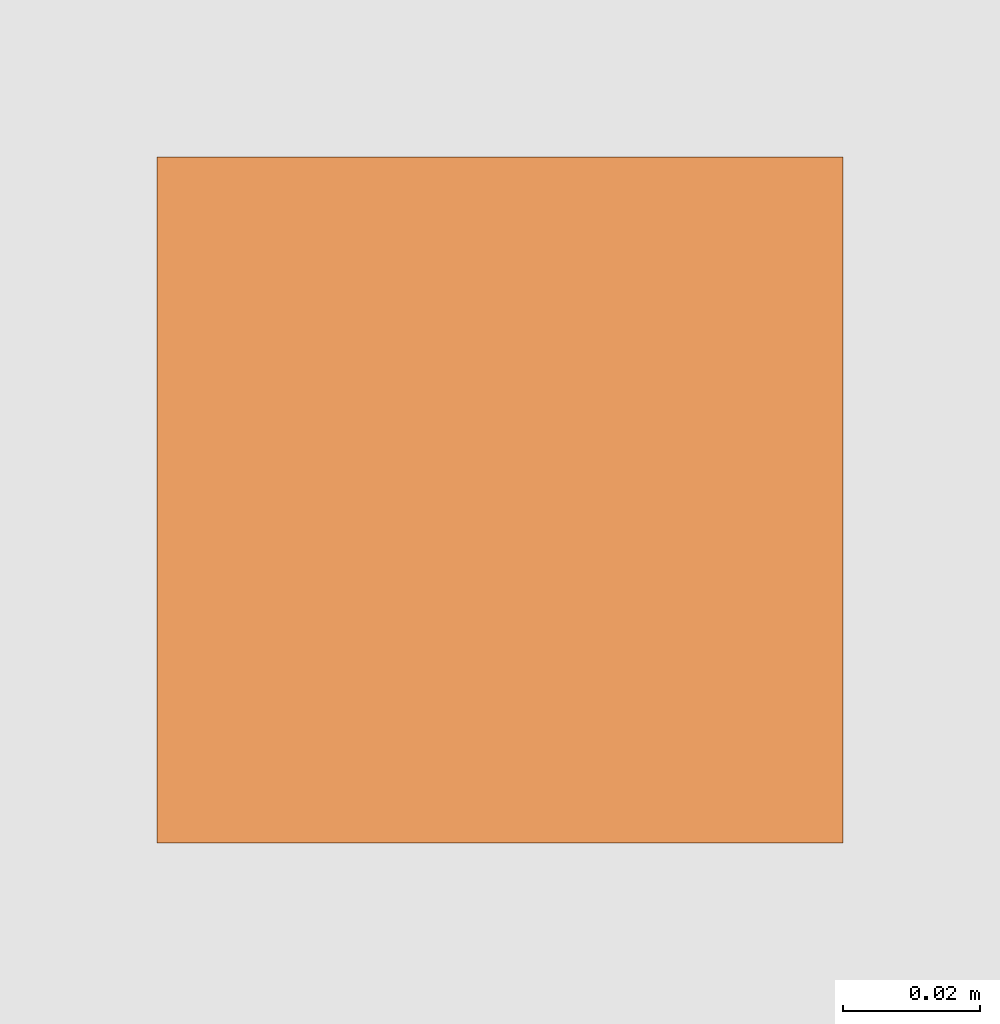
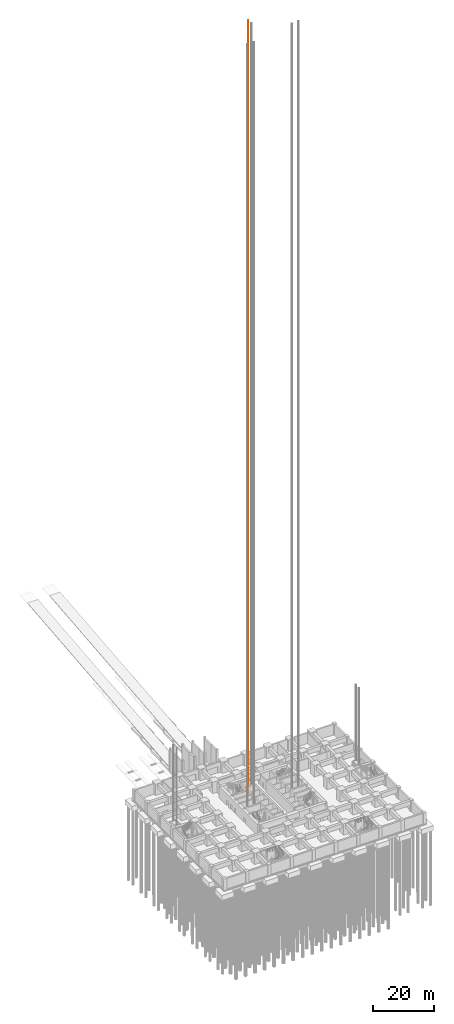
# One storey, part 26 of 28: 1 proxy.
"""IFC4 building model written with IfcOpenShell, lengths in metres."""

from ifc_helpers import new_model, si_unit, direction, frame, origin, origin_2d, place, context, subcontext, project, spatial, rectangle, extrude, material, type_object, element, save


model = new_model("IFC4")

# Units and contexts
model_context = context("Model", 3, precision=1e-05, world=origin(), true_north=direction((0.0, 1.0)))
body_context = subcontext(model_context, "Body", "Model", "MODEL_VIEW")
ifc_project = project(units=[si_unit("LENGTHUNIT", "METRE"), si_unit("AREAUNIT", "SQUARE_METRE"), si_unit("VOLUMEUNIT", "CUBIC_METRE"), si_unit("PLANEANGLEUNIT", "RADIAN"), si_unit("MASSUNIT", "GRAM", prefix="KILO")], contexts=[model_context])

# Site, building, storey
site_placement = place(None, origin())
site = spatial("IfcSite", under=ifc_project, at=site_placement, CompositionType="ELEMENT")
building_placement = place(site_placement, origin())
building = spatial("IfcBuilding", under=site, at=building_placement, Name="Rekha Terrace Tower", CompositionType="ELEMENT")
storey_placement = place(building_placement, frame((0.0, 0.0, -9.89990234375)))
storey = spatial("IfcBuildingStorey", under=building, at=storey_placement, Name="B-02", CompositionType="ELEMENT", Elevation=-9.89990234375)

# Proxy
ifc_material = material(Name="Steel guide rail", Category="steel")
building_element_proxy_type = type_object("IfcBuildingElementProxyType", Name="LR1 100 lift guide rail", PredefinedType="ELEMENT", material=ifc_material)
proxy_placement = place(storey_placement, frame((34.449951171875, 44.0, 0.0), z_axis=(0.0, 0.0, 1.0), x_axis=(1.0, 0.0, 0.0)))
element("IfcBuildingElementProxy", 1, at=proxy_placement, inside=storey, type_object=building_element_proxy_type, Name="Lift SV1 guide rail 2", PredefinedType="ELEMENT", context=body_context, shape_type="SweptSolid", body=[
    extrude(rectangle(XDim=0.10009765625, YDim=0.10009765625, at=origin_2d()), origin(), (0.0, 0.0, 1.0), 309.050048828125),
])

save(model, "model.ifc")
